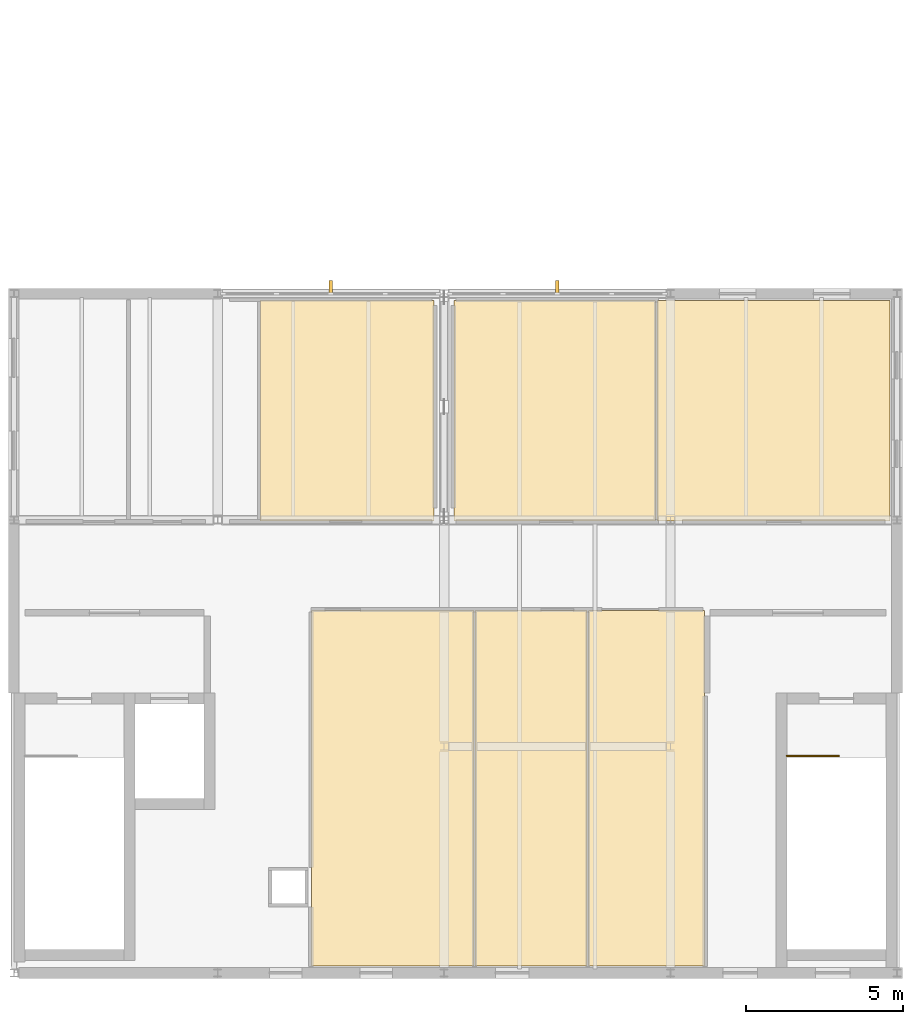
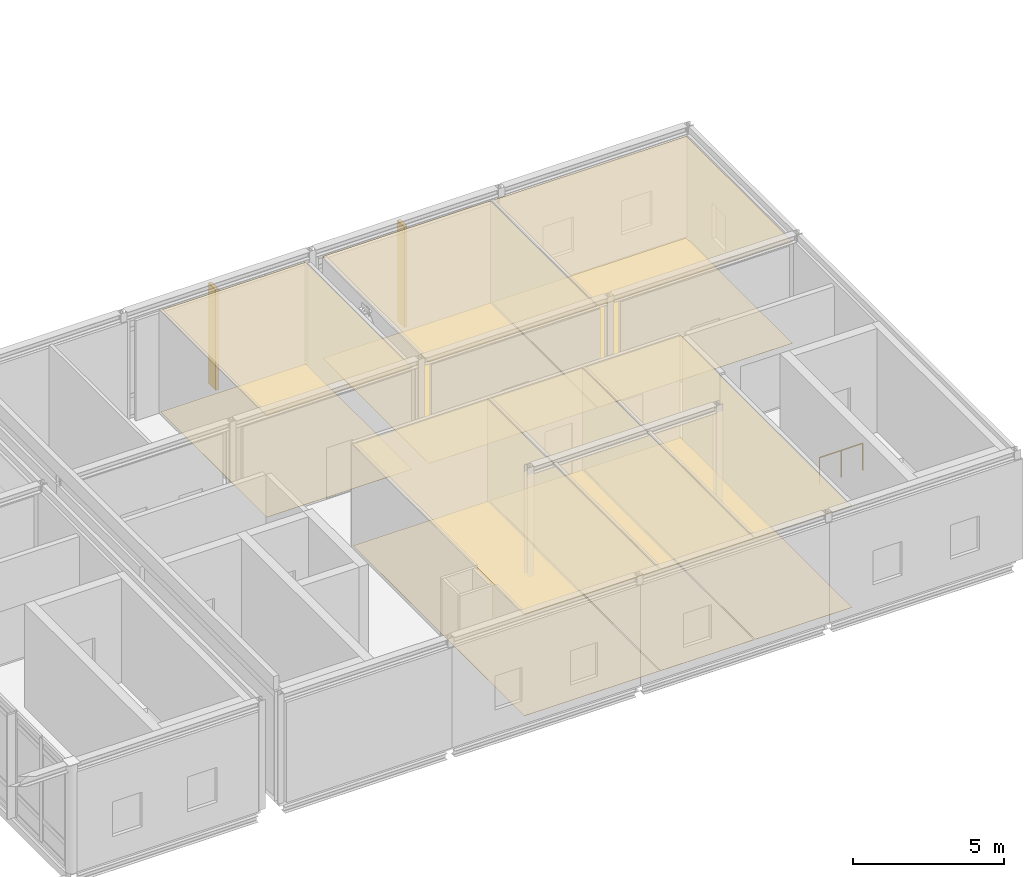
# One storey, part 41 of 43: 12 coverings, 2 shading devices, 1 railing.
"""IFC4 building model written with IfcOpenShell, lengths in metres."""

from ifc_helpers import new_model, si_unit, direction, frame, origin, origin_2d, place, context, subcontext, project, spatial, polyline, rectangle, circle, outline, extrude, material, layer, layer_set, type_object, element, save


model = new_model("IFC4")

# Units and contexts
model_context = context("Model", 3, precision=1e-05, world=origin(), true_north=direction((0.0, 1.0)))
body_context = subcontext(model_context, "Body", "Model", "MODEL_VIEW")
ifc_project = project(units=[si_unit("LENGTHUNIT", "METRE"), si_unit("AREAUNIT", "SQUARE_METRE"), si_unit("VOLUMEUNIT", "CUBIC_METRE"), si_unit("PLANEANGLEUNIT", "RADIAN"), si_unit("MASSUNIT", "GRAM", prefix="KILO")], contexts=[model_context])

# Site, building, storey
site_placement = place(None, origin())
site = spatial("IfcSite", under=ifc_project, at=site_placement, CompositionType="ELEMENT")
building_placement = place(site_placement, origin())
building = spatial("IfcBuilding", under=site, at=building_placement, Name="Zarrinpeak Specialist Clinic", CompositionType="ELEMENT")
storey_placement = place(building_placement, frame((0.0, 0.0, 18.39990234375)))
storey = spatial("IfcBuildingStorey", under=building, at=storey_placement, Name="L04", CompositionType="ELEMENT", Elevation=18.39990234375)

# Coverings
ifc_material_1 = material(Name="Hygienic Acoustic Mineral Fibre Tile")
ifc_layer_1 = layer(ifc_material_1, 0.02490234375)
ifc_layer_set_1 = layer_set([ifc_layer_1], Name="Hygienic Acoustic Mineral Fibre Tile")
covering_type_1 = type_object("IfcCoveringType", Name="CV-CEIL-AC", PredefinedType="CEILING", material=ifc_layer_set_1)
covering_1_placement = place(storey_placement, frame((0.0, 0.0, 4.085205078125)))
element("IfcCovering", 1, at=covering_1_placement, inside=storey, type_object=covering_type_1, Name="L04 Surgical Day Clinic Consult Hygienic Acoustic Ceiling", PredefinedType="CEILING", context=body_context, shape_type="SweptSolid", body=[
    extrude(outline(polyline([(66.139892578125, 14.3701171875), (71.679931640625, 14.3701171875), (71.679931640625, 21.3798828125), (66.139892578125, 21.3798828125), (66.139892578125, 14.3701171875)])), origin(), (0.0, 0.0, 1.0), 0.02490234375),
])
covering_2_placement = place(storey_placement, frame((0.0, 0.0, 4.085205078125)))
element("IfcCovering", 2, at=covering_2_placement, inside=storey, type_object=covering_type_1, Name="L04 Anaesthesia Pre-Assessment Office Hygienic Acoustic Ceiling", PredefinedType="CEILING", context=body_context, shape_type="SweptSolid", body=[
    extrude(outline(polyline([(72.989990234375, 0.219970703125), (76.550048828125, 0.219970703125), (76.550048828125, 11.530029296875), (72.989990234375, 11.530029296875), (72.989990234375, 0.219970703125)])), origin(), (0.0, 0.0, 1.0), 0.02490234375),
])
covering_3_placement = place(storey_placement, frame((0.0, 0.0, 4.085205078125)))
element("IfcCovering", 3, at=covering_3_placement, inside=storey, type_object=covering_type_1, Name="L04 Surgical Governance Seminar Hygienic Acoustic Ceiling", PredefinedType="CEILING", context=body_context, shape_type="SweptSolid", body=[
    extrude(outline(polyline([(76.590087890625, 0.219970703125), (80.280029296875, 0.219970703125), (80.280029296875, 11.530029296875), (76.590087890625, 11.530029296875), (76.590087890625, 0.219970703125)])), origin(), (0.0, 0.0, 1.0), 0.02490234375),
])
covering_4_placement = place(storey_placement, frame((0.0, 0.0, 4.085205078125)))
element("IfcCovering", 4, at=covering_4_placement, inside=storey, type_object=covering_type_1, Name="L04 Specialist Consultation Room 1 Hygienic Acoustic Ceiling", PredefinedType="CEILING", context=body_context, shape_type="SweptSolid", body=[
    extrude(outline(polyline([(72.320068359375, 14.3701171875), (78.72998046875, 14.3701171875), (78.72998046875, 21.3798828125), (72.320068359375, 21.3798828125), (72.320068359375, 14.3701171875)])), origin(), (0.0, 0.0, 1.0), 0.02490234375),
])
covering_5_placement = place(storey_placement, frame((0.0, 0.0, 4.085205078125)))
element("IfcCovering", 5, at=covering_5_placement, inside=storey, type_object=covering_type_1, Name="L04 Specialist Consultation Room 2 Hygienic Acoustic Ceiling", PredefinedType="CEILING", context=body_context, shape_type="SweptSolid", body=[
    extrude(outline(polyline([(78.77001953125, 14.3701171875), (86.179931640625, 14.3701171875), (86.179931640625, 21.3798828125), (78.77001953125, 21.3798828125), (78.77001953125, 14.3701171875)])), origin(), (0.0, 0.0, 1.0), 0.02490234375),
])
covering_6_placement = place(storey_placement, frame((0.0, 0.0, 4.085205078125)))
element("IfcCovering", 6, at=covering_6_placement, inside=storey, type_object=covering_type_1, Name="L04 Specialist Consultation Room 3 Hygienic Acoustic Ceiling", PredefinedType="CEILING", context=body_context, shape_type="SweptSolid", body=[
    extrude(outline(polyline([(67.7900390625, 0.219970703125), (72.949951171875, 0.219970703125), (72.949951171875, 11.530029296875), (67.7900390625, 11.530029296875), (67.7900390625, 0.219970703125)])), origin(), (0.0, 0.0, 1.0), 0.02490234375),
])
ifc_material_2 = material(Name="Homogeneous Antimicrobial Clinical Vinyl")
ifc_layer_2 = layer(ifc_material_2, 0.008056640625)
ifc_layer_set_2 = layer_set([ifc_layer_2], Name="Homogeneous Antimicrobial Clinical Vinyl")
covering_type_2 = type_object("IfcCoveringType", Name="CV-FLR-VN", PredefinedType="FLOORING", material=ifc_layer_set_2)
covering_7_placement = place(storey_placement, frame((0.0, 0.0, 0.0009765625)))
element("IfcCovering", 7, at=covering_7_placement, inside=storey, type_object=covering_type_2, Name="L04 Surgical Day Clinic Consult Antimicrobial Vinyl Flooring", PredefinedType="FLOORING", context=body_context, shape_type="SweptSolid", body=[
    extrude(outline(polyline([(66.139892578125, 14.3701171875), (71.679931640625, 14.3701171875), (71.679931640625, 21.3798828125), (66.139892578125, 21.3798828125), (66.139892578125, 14.3701171875)])), origin(), (0.0, 0.0, 1.0), 0.008056640625),
])
covering_8_placement = place(storey_placement, frame((0.0, 0.0, 0.0009765625)))
element("IfcCovering", 8, at=covering_8_placement, inside=storey, type_object=covering_type_2, Name="L04 Anaesthesia Pre-Assessment Office Antimicrobial Vinyl Flooring", PredefinedType="FLOORING", context=body_context, shape_type="SweptSolid", body=[
    extrude(outline(polyline([(72.989990234375, 0.219970703125), (76.550048828125, 0.219970703125), (76.550048828125, 11.530029296875), (72.989990234375, 11.530029296875), (72.989990234375, 0.219970703125)])), origin(), (0.0, 0.0, 1.0), 0.008056640625),
])
covering_9_placement = place(storey_placement, frame((0.0, 0.0, 0.0009765625)))
element("IfcCovering", 9, at=covering_9_placement, inside=storey, type_object=covering_type_2, Name="L04 Surgical Governance Seminar Antimicrobial Vinyl Flooring", PredefinedType="FLOORING", context=body_context, shape_type="SweptSolid", body=[
    extrude(outline(polyline([(76.590087890625, 0.219970703125), (80.280029296875, 0.219970703125), (80.280029296875, 11.530029296875), (76.590087890625, 11.530029296875), (76.590087890625, 0.219970703125)])), origin(), (0.0, 0.0, 1.0), 0.008056640625),
])
covering_10_placement = place(storey_placement, frame((0.0, 0.0, 0.0009765625)))
element("IfcCovering", 10, at=covering_10_placement, inside=storey, type_object=covering_type_2, Name="L04 Specialist Consultation Room 1 Antimicrobial Vinyl Flooring", PredefinedType="FLOORING", context=body_context, shape_type="SweptSolid", body=[
    extrude(outline(polyline([(72.320068359375, 14.3701171875), (78.72998046875, 14.3701171875), (78.72998046875, 21.3798828125), (72.320068359375, 21.3798828125), (72.320068359375, 14.3701171875)])), origin(), (0.0, 0.0, 1.0), 0.008056640625),
])
covering_11_placement = place(storey_placement, frame((0.0, 0.0, 0.0009765625)))
element("IfcCovering", 11, at=covering_11_placement, inside=storey, type_object=covering_type_2, Name="L04 Specialist Consultation Room 2 Antimicrobial Vinyl Flooring", PredefinedType="FLOORING", context=body_context, shape_type="SweptSolid", body=[
    extrude(outline(polyline([(78.77001953125, 14.3701171875), (86.179931640625, 14.3701171875), (86.179931640625, 21.3798828125), (78.77001953125, 21.3798828125), (78.77001953125, 14.3701171875)])), origin(), (0.0, 0.0, 1.0), 0.008056640625),
])
covering_12_placement = place(storey_placement, frame((0.0, 0.0, 0.0009765625)))
element("IfcCovering", 12, at=covering_12_placement, inside=storey, type_object=covering_type_2, Name="L04 Specialist Consultation Room 3 Antimicrobial Vinyl Flooring", PredefinedType="FLOORING", context=body_context, shape_type="SweptSolid", body=[
    extrude(outline(polyline([(67.7900390625, 0.219970703125), (72.949951171875, 0.219970703125), (72.949951171875, 11.530029296875), (67.7900390625, 11.530029296875), (67.7900390625, 0.219970703125)])), origin(), (0.0, 0.0, 1.0), 0.008056640625),
])

# Railing
ifc_material_3 = material(Name="Laminated Safety Glass and Stainless Steel 316", Category="steel")
ifc_layer_3 = layer(ifc_material_3, 0.06005859375)
ifc_layer_set_3 = layer_set([ifc_layer_3], Name="Laminated Safety Glass and Stainless Steel 316")
railing_type = type_object("IfcRailingType", Name="RL-GRD115", PredefinedType="GUARDRAIL", material=ifc_layer_set_3)
railing_placement = place(storey_placement, frame((82.89990234375, 6.89990234375, 0.0)))
element("IfcRailing", 13, at=railing_placement, inside=storey, type_object=railing_type, Name="L04 ST-08 top well guard 1", PredefinedType="GUARDRAIL", context=body_context, shape_type="SweptSolid", body=[
    extrude(circle(Radius=0.02392578125, at=origin_2d()), frame((0.0, 0.0, 1.076171875), z_axis=(1.0, 0.0, 0.0), x_axis=(0.0, 1.0, 0.0)), (0.0, 0.0, 1.0), 1.650146484375),
    extrude(circle(Radius=0.02099609375, at=origin_2d()), origin(), (0.0, 0.0, 1.0), 1.052001953125),
    extrude(circle(Radius=0.02099609375, at=origin_2d()), frame((0.8251953125, 0.0, 0.0)), (0.0, 0.0, 1.0), 1.052001953125),
    extrude(circle(Radius=0.02099609375, at=origin_2d()), frame((1.650146484375, 0.0, 0.0)), (0.0, 0.0, 1.0), 1.052001953125),
])

# Shading devices
ifc_material_4 = material(Name="Glulam GL28h", Category="wood")
shading_device_type = type_object("IfcShadingDeviceType", Name="SHD-FIN-GL", PredefinedType="USERDEFINED", material=ifc_material_4)
for number, where, z_axis, x_axis, name in (
    (14, (68.39990234375, 21.800048828125, -0.014892578125), (0.0, 0.0, 1.0), (1.0, 0.0, 0.0), "L04 V4 Cedar-Glulam Courtyard Fin FIN-054"),
    (15, (75.60009765625, 21.800048828125, -0.014892578125), (0.0, 0.0, 1.0), (1.0, 0.0, 0.0), "L04 V4 Cedar-Glulam Courtyard Fin FIN-055"),
):
    element("IfcShadingDevice", number, at=place(storey_placement, frame(where, z_axis=z_axis, x_axis=x_axis)), inside=storey, type_object=shading_device_type, Name=name, ObjectType="SUNSHADE", PredefinedType="USERDEFINED", context=body_context, shape_type="SweptSolid", body=[
        extrude(rectangle(XDim=0.110107421875, YDim=0.449951171875, at=origin_2d()), origin(), (0.0, 0.0, 1.0), 4.06494140625),
    ])

save(model, "model.ifc")
